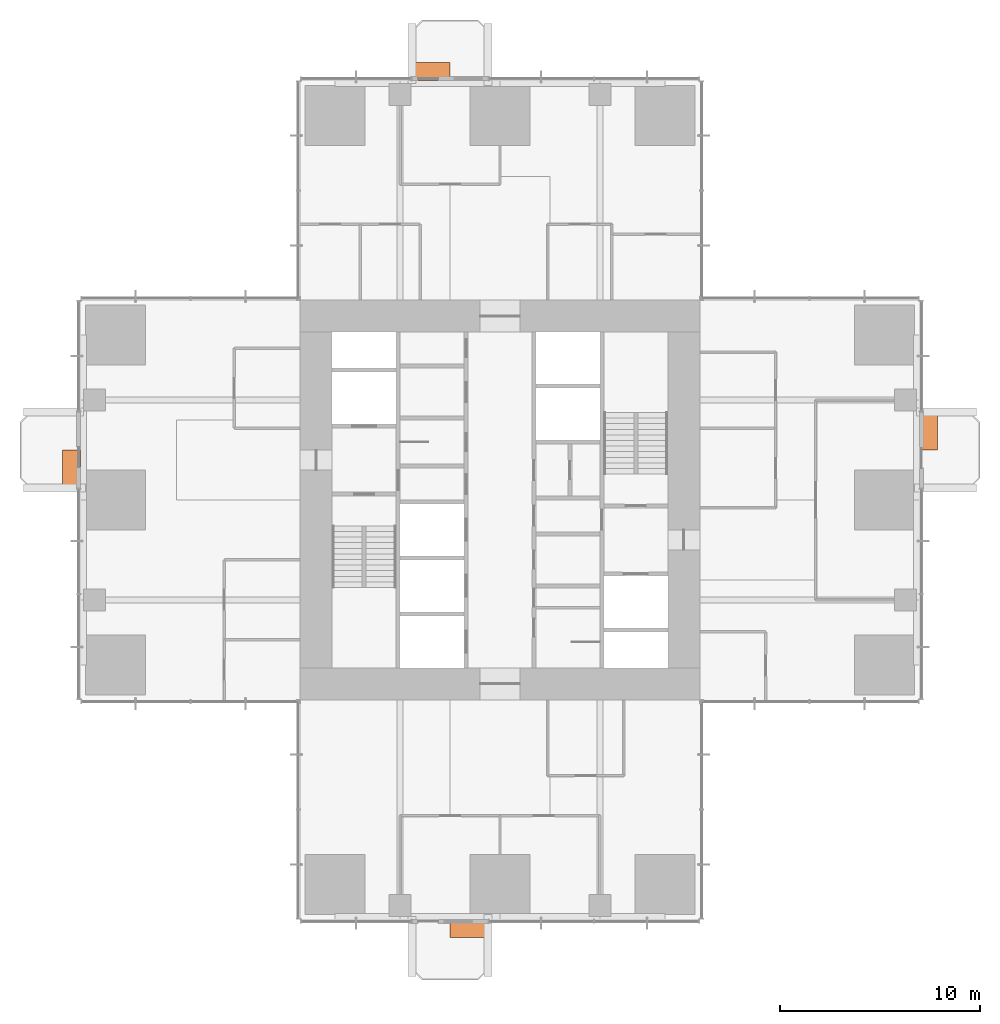
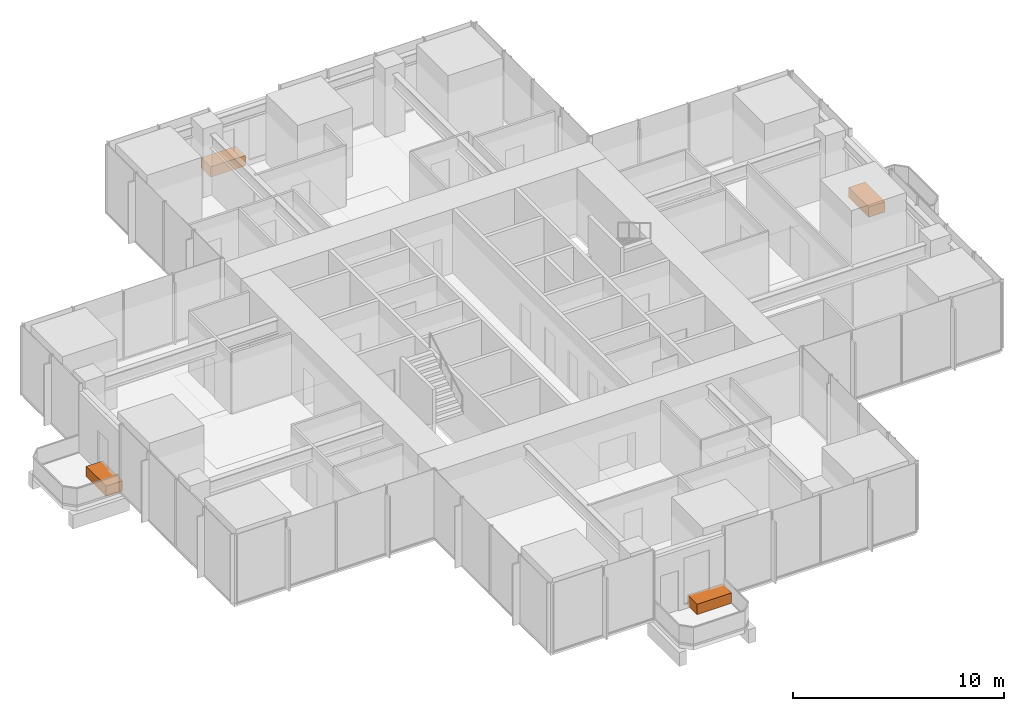
# One storey, part 13 of 13: 4 proxies.
"""IFC4 building model written with IfcOpenShell, lengths in metres."""

from ifc_helpers import new_model, si_unit, direction, frame, origin, origin_2d, place, context, subcontext, project, spatial, rectangle, extrude, element, save


model = new_model("IFC4")

# Units and contexts
model_context = context("Model", 3, precision=1e-05, world=origin(), true_north=direction((0.0, 1.0)))
body_context = subcontext(model_context, "Body", "Model", "MODEL_VIEW")
ifc_project = project(units=[si_unit("LENGTHUNIT", "METRE"), si_unit("AREAUNIT", "SQUARE_METRE"), si_unit("VOLUMEUNIT", "CUBIC_METRE"), si_unit("PLANEANGLEUNIT", "RADIAN"), si_unit("MASSUNIT", "GRAM", prefix="KILO")], contexts=[model_context])

# Site, building, storey
site_placement = place(None, origin())
site = spatial("IfcSite", under=ifc_project, at=site_placement, CompositionType="ELEMENT")
building_placement = place(site_placement, origin())
building = spatial("IfcBuilding", under=site, at=building_placement, Name="Svetlomir Tower", CompositionType="ELEMENT")
storey_placement = place(building_placement, frame((0.0, 0.0, 156.5)))
storey = spatial("IfcBuildingStorey", under=building, at=storey_placement, Name="L37", CompositionType="ELEMENT", Elevation=156.5)

# Proxies
proxy_1_placement = place(storey_placement, frame((19.449951171875, -0.449951171875, 0.0400390625), z_axis=(0.0, 0.0, 1.0), x_axis=(1.0, 0.0, 0.0)))
element("IfcBuildingElementProxy", 1, at=proxy_1_placement, inside=storey, Name="Tree planter S L37", ObjectType="PLANTER", PredefinedType="USERDEFINED", context=body_context, shape_type="SweptSolid", body=[
    extrude(rectangle(XDim=1.89990234375, YDim=0.89990234375, at=origin_2d()), origin(), (0.0, 0.0, 1.0), 0.60009765625),
])
proxy_2_placement = place(storey_placement, frame((42.449951171875, 24.449951171875, 0.0400390625), z_axis=(0.0, 0.0, 1.0), x_axis=(1.0, 0.0, 0.0)))
element("IfcBuildingElementProxy", 2, at=proxy_2_placement, inside=storey, Name="Tree planter E L37", ObjectType="PLANTER", PredefinedType="USERDEFINED", context=body_context, shape_type="SweptSolid", body=[
    extrude(rectangle(XDim=0.89990234375, YDim=1.89990234375, at=origin_2d()), origin(), (0.0, 0.0, 1.0), 0.60009765625),
])
proxy_3_placement = place(storey_placement, frame((17.550048828125, 42.449951171875, 0.0400390625), z_axis=(0.0, 0.0, 1.0), x_axis=(1.0, 0.0, 0.0)))
element("IfcBuildingElementProxy", 3, at=proxy_3_placement, inside=storey, Name="Tree planter N L37", ObjectType="PLANTER", PredefinedType="USERDEFINED", context=body_context, shape_type="SweptSolid", body=[
    extrude(rectangle(XDim=1.89990234375, YDim=0.89990234375, at=origin_2d()), origin(), (0.0, 0.0, 1.0), 0.60009765625),
])
proxy_4_placement = place(storey_placement, frame((-0.449951171875, 22.550048828125, 0.0400390625), z_axis=(0.0, 0.0, 1.0), x_axis=(1.0, 0.0, 0.0)))
element("IfcBuildingElementProxy", 4, at=proxy_4_placement, inside=storey, Name="Tree planter W L37", ObjectType="PLANTER", PredefinedType="USERDEFINED", context=body_context, shape_type="SweptSolid", body=[
    extrude(rectangle(XDim=0.89990234375, YDim=1.89990234375, at=origin_2d()), origin(), (0.0, 0.0, 1.0), 0.60009765625),
])

save(model, "model.ifc")
